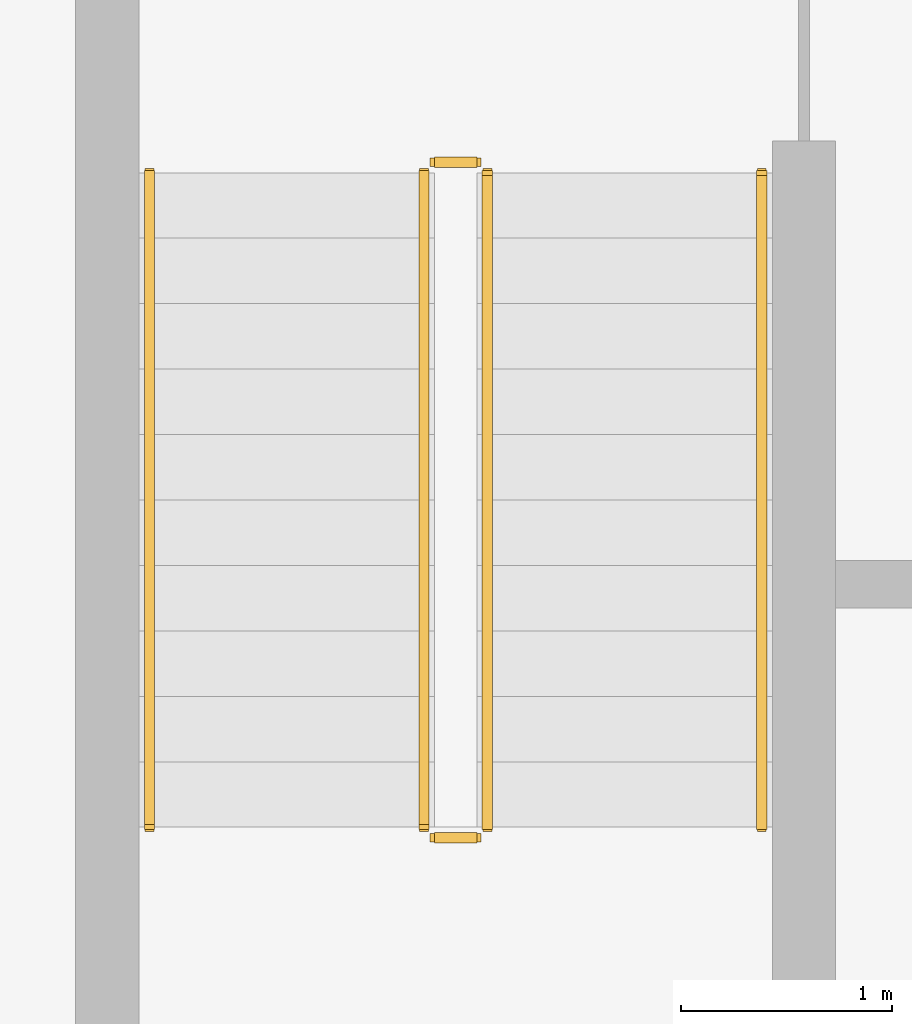
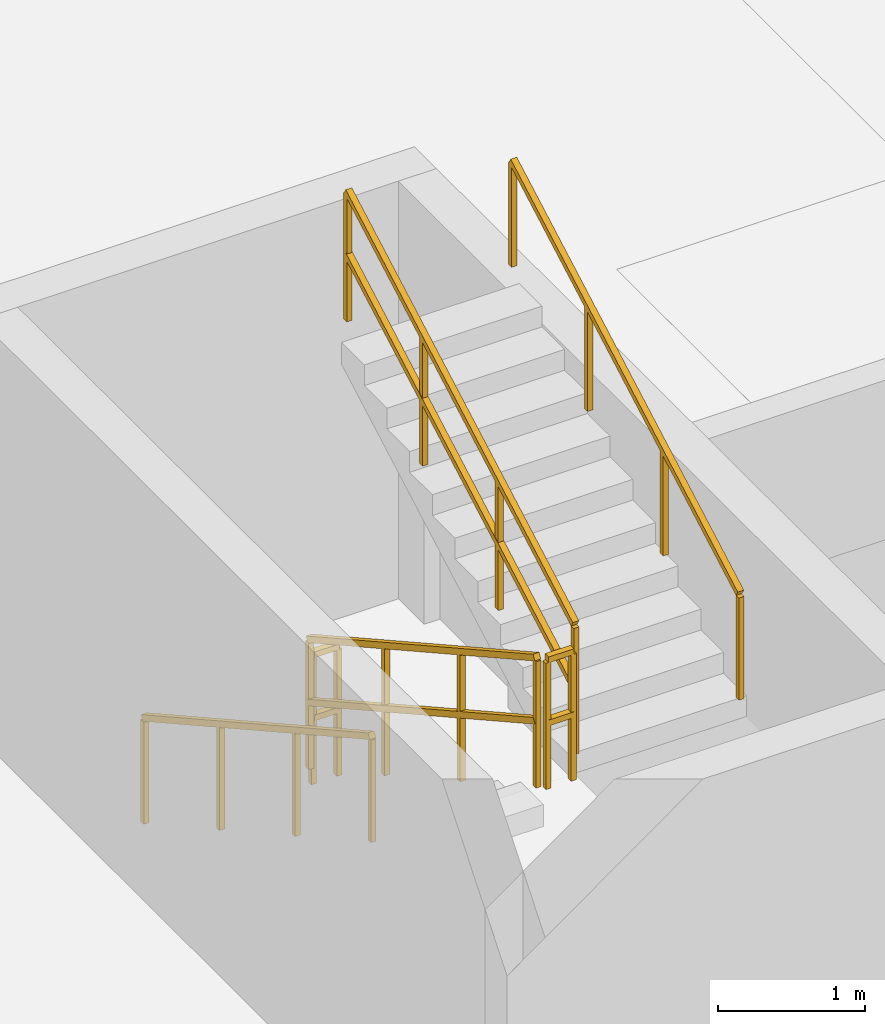
# One storey, part 35 of 38: 6 railings.
"""IFC4 building model written with IfcOpenShell, lengths in metres."""

from ifc_helpers import new_model, si_unit, direction, frame, origin, origin_2d, place, context, subcontext, project, spatial, rectangle, extrude, material, type_object, element, save


model = new_model("IFC4")

# Units and contexts
model_context = context("Model", 3, precision=1e-05, world=origin(), true_north=direction((0.0, 1.0)))
body_context = subcontext(model_context, "Body", "Model", "MODEL_VIEW")
ifc_project = project(units=[si_unit("LENGTHUNIT", "METRE"), si_unit("AREAUNIT", "SQUARE_METRE"), si_unit("VOLUMEUNIT", "CUBIC_METRE"), si_unit("PLANEANGLEUNIT", "RADIAN"), si_unit("MASSUNIT", "GRAM", prefix="KILO")], contexts=[model_context])

# Site, building, storey
site_placement = place(None, origin())
site = spatial("IfcSite", under=ifc_project, at=site_placement, CompositionType="ELEMENT")
building_placement = place(site_placement, origin())
building = spatial("IfcBuilding", under=site, at=building_placement, Name="Zavelmont Quarter", CompositionType="ELEMENT")
storey_placement = place(building_placement, frame((0.0, 0.0, -3.800048828125)))
storey = spatial("IfcBuildingStorey", under=building, at=storey_placement, Name="B01", CompositionType="ELEMENT", Elevation=-3.800048828125)

# Railings
ifc_material_1 = material(Name="Powder-coated steel stair guardrail", Category="steel")
railing_type_1 = type_object("IfcRailingType", Name="RL-GRD1", PredefinedType="GUARDRAIL", material=ifc_material_1)
railing_1_placement = place(storey_placement, frame((105.550048828125, 84.050048828125, 0.1728515625)))
element("IfcRailing", 1, at=railing_1_placement, inside=storey, type_object=railing_type_1, Name="B01 ST10 stair guardrail 1", PredefinedType="GUARDRAIL", context=body_context, shape_type="SweptSolid", body=[
    extrude(rectangle(XDim=0.048095703125, YDim=0.048095703125, at=origin_2d()), frame((0.0, 0.0, 1.076171875), z_axis=(0.0, -0.87355627631, 0.486723157575), x_axis=(1.0, 0.0, 0.0)), (0.0, 0.0, 1.0), 3.548828125),
    extrude(rectangle(XDim=0.048095703125, YDim=0.048095703125, at=origin_2d()), frame((0.0, 0.0, 0.550048828125), z_axis=(0.0, -0.87355627631, 0.486723157575), x_axis=(1.0, 0.0, 0.0)), (0.0, 0.0, 1.0), 3.548828125),
    extrude(rectangle(XDim=0.0419921875, YDim=0.0419921875, at=origin_2d()), origin(), (0.0, 0.0, 1.0), 1.052001953125),
    extrude(rectangle(XDim=0.0419921875, YDim=0.0419921875, at=origin_2d()), frame((0.0, -1.033447265625, 0.57568359375)), (0.0, 0.0, 1.0), 1.052001953125),
    extrude(rectangle(XDim=0.0419921875, YDim=0.0419921875, at=origin_2d()), frame((0.0, -2.066650390625, 1.151611328125)), (0.0, 0.0, 1.0), 1.052001953125),
    extrude(rectangle(XDim=0.0419921875, YDim=0.0419921875, at=origin_2d()), frame((0.0, -3.10009765625, 1.727294921875)), (0.0, 0.0, 1.0), 1.052001953125),
])
railing_2_placement = place(storey_placement, frame((105.60009765625, 80.89990234375, 1.900146484375)))
element("IfcRailing", 2, at=railing_2_placement, inside=storey, type_object=railing_type_1, Name="B01 ST10 stair guardrail 2", PredefinedType="GUARDRAIL", context=body_context, shape_type="SweptSolid", body=[
    extrude(rectangle(XDim=0.048095703125, YDim=0.048095703125, at=origin_2d()), frame((0.0, 0.0, 1.076171875), z_axis=(1.0, 0.0, 0.0), x_axis=(0.0, 1.0, 0.0)), (0.0, 0.0, 1.0), 0.199951171875),
    extrude(rectangle(XDim=0.048095703125, YDim=0.048095703125, at=origin_2d()), frame((0.0, 0.0, 0.550048828125), z_axis=(1.0, 0.0, 0.0), x_axis=(0.0, 1.0, 0.0)), (0.0, 0.0, 1.0), 0.199951171875),
    extrude(rectangle(XDim=0.0419921875, YDim=0.0419921875, at=origin_2d()), origin(), (0.0, 0.0, 1.0), 1.052001953125),
    extrude(rectangle(XDim=0.0419921875, YDim=0.0419921875, at=origin_2d()), frame((0.199951171875, 0.0, 0.0)), (0.0, 0.0, 1.0), 1.052001953125),
])
railing_3_placement = place(storey_placement, frame((105.85009765625, 80.949951171875, 2.07275390625)))
element("IfcRailing", 3, at=railing_3_placement, inside=storey, type_object=railing_type_1, Name="B01 ST10 stair guardrail 3", PredefinedType="GUARDRAIL", context=body_context, shape_type="SweptSolid", body=[
    extrude(rectangle(XDim=0.048095703125, YDim=0.048095703125, at=origin_2d()), frame((0.0, 0.0, 1.076171875), z_axis=(0.0, 0.87355627631, 0.486723157575), x_axis=(-1.0, 0.0, 0.0)), (0.0, 0.0, 1.0), 3.548828125),
    extrude(rectangle(XDim=0.048095703125, YDim=0.048095703125, at=origin_2d()), frame((0.0, 0.0, 0.550048828125), z_axis=(0.0, 0.87355627631, 0.486723157575), x_axis=(-1.0, 0.0, 0.0)), (0.0, 0.0, 1.0), 3.548828125),
    extrude(rectangle(XDim=0.0419921875, YDim=0.0419921875, at=origin_2d()), origin(), (0.0, 0.0, 1.0), 1.052001953125),
    extrude(rectangle(XDim=0.0419921875, YDim=0.0419921875, at=origin_2d()), frame((0.0, 1.033447265625, 0.57568359375)), (0.0, 0.0, 1.0), 1.052001953125),
    extrude(rectangle(XDim=0.0419921875, YDim=0.0419921875, at=origin_2d()), frame((0.0, 2.066650390625, 1.151611328125)), (0.0, 0.0, 1.0), 1.052001953125),
    extrude(rectangle(XDim=0.0419921875, YDim=0.0419921875, at=origin_2d()), frame((0.0, 3.10009765625, 1.727294921875)), (0.0, 0.0, 1.0), 1.052001953125),
])
railing_4_placement = place(storey_placement, frame((105.60009765625, 84.10009765625, 0.0)))
element("IfcRailing", 4, at=railing_4_placement, inside=storey, type_object=railing_type_1, Name="B01 ST10 stair guardrail 4", PredefinedType="GUARDRAIL", context=body_context, shape_type="SweptSolid", body=[
    extrude(rectangle(XDim=0.048095703125, YDim=0.048095703125, at=origin_2d()), frame((0.0, 0.0, 1.076171875), z_axis=(1.0, 0.0, 0.0), x_axis=(0.0, 1.0, 0.0)), (0.0, 0.0, 1.0), 0.199951171875),
    extrude(rectangle(XDim=0.048095703125, YDim=0.048095703125, at=origin_2d()), frame((0.0, 0.0, 0.550048828125), z_axis=(1.0, 0.0, 0.0), x_axis=(0.0, 1.0, 0.0)), (0.0, 0.0, 1.0), 0.199951171875),
    extrude(rectangle(XDim=0.0419921875, YDim=0.0419921875, at=origin_2d()), origin(), (0.0, 0.0, 1.0), 1.052001953125),
    extrude(rectangle(XDim=0.0419921875, YDim=0.0419921875, at=origin_2d()), frame((0.199951171875, 0.0, 0.0)), (0.0, 0.0, 1.0), 1.052001953125),
])
ifc_material_2 = material(Name="Brushed stainless-steel wall handrail", Category="steel")
railing_type_2 = type_object("IfcRailingType", Name="RL-HND1", PredefinedType="HANDRAIL", material=ifc_material_2)
railing_5_placement = place(storey_placement, frame((104.25, 84.050048828125, 0.1728515625)))
element("IfcRailing", 5, at=railing_5_placement, inside=storey, type_object=railing_type_2, Name="B01 ST10 stair handrail 1", PredefinedType="HANDRAIL", context=body_context, shape_type="SweptSolid", body=[
    extrude(rectangle(XDim=0.048095703125, YDim=0.048095703125, at=origin_2d()), frame((0.0, 0.0, 0.8759765625), z_axis=(0.0, -0.87355627631, 0.486723157575), x_axis=(1.0, 0.0, 0.0)), (0.0, 0.0, 1.0), 3.548828125),
    extrude(rectangle(XDim=0.0419921875, YDim=0.0419921875, at=origin_2d()), origin(), (0.0, 0.0, 1.0), 0.851806640625),
    extrude(rectangle(XDim=0.0419921875, YDim=0.0419921875, at=origin_2d()), frame((0.0, -1.033447265625, 0.57568359375)), (0.0, 0.0, 1.0), 0.851806640625),
    extrude(rectangle(XDim=0.0419921875, YDim=0.0419921875, at=origin_2d()), frame((0.0, -2.066650390625, 1.151611328125)), (0.0, 0.0, 1.0), 0.851806640625),
    extrude(rectangle(XDim=0.0419921875, YDim=0.0419921875, at=origin_2d()), frame((0.0, -3.10009765625, 1.727294921875)), (0.0, 0.0, 1.0), 0.851806640625),
])
railing_6_placement = place(storey_placement, frame((107.14990234375, 80.949951171875, 2.07275390625)))
element("IfcRailing", 6, at=railing_6_placement, inside=storey, type_object=railing_type_2, Name="B01 ST10 stair handrail 2", PredefinedType="HANDRAIL", context=body_context, shape_type="SweptSolid", body=[
    extrude(rectangle(XDim=0.048095703125, YDim=0.048095703125, at=origin_2d()), frame((0.0, 0.0, 0.8759765625), z_axis=(0.0, 0.87355627631, 0.486723157575), x_axis=(-1.0, 0.0, 0.0)), (0.0, 0.0, 1.0), 3.548828125),
    extrude(rectangle(XDim=0.0419921875, YDim=0.0419921875, at=origin_2d()), origin(), (0.0, 0.0, 1.0), 0.851806640625),
    extrude(rectangle(XDim=0.0419921875, YDim=0.0419921875, at=origin_2d()), frame((0.0, 1.033447265625, 0.57568359375)), (0.0, 0.0, 1.0), 0.851806640625),
    extrude(rectangle(XDim=0.0419921875, YDim=0.0419921875, at=origin_2d()), frame((0.0, 2.066650390625, 1.151611328125)), (0.0, 0.0, 1.0), 0.851806640625),
    extrude(rectangle(XDim=0.0419921875, YDim=0.0419921875, at=origin_2d()), frame((0.0, 3.10009765625, 1.727294921875)), (0.0, 0.0, 1.0), 0.851806640625),
])

save(model, "model.ifc")
